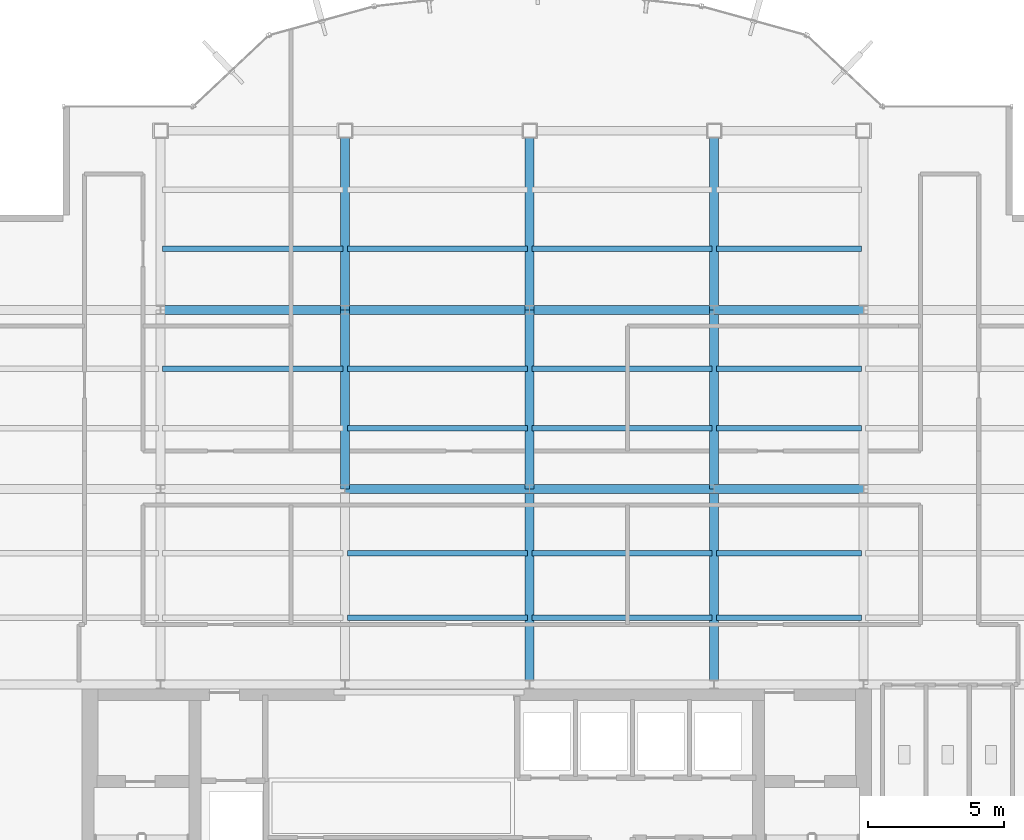
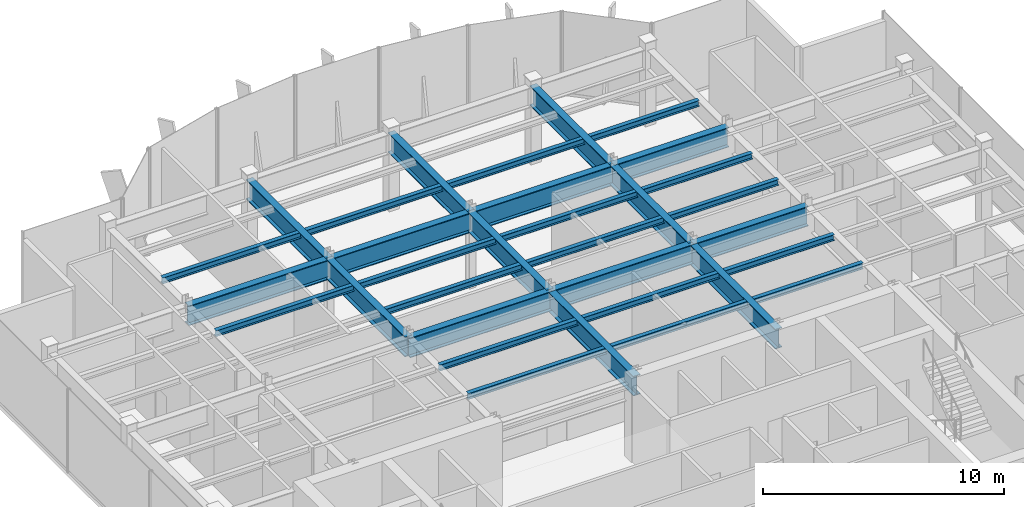
# One storey, part 8 of 24: 32 beams.
"""IFC4 building model written with IfcOpenShell, lengths in metres."""

from ifc_helpers import new_model, si_unit, derived_unit, direction, frame, origin, origin_2d, place, context, subcontext, project, spatial, i_section, extrude, source, transform, mapped, material, material_profile, profile_set, type_object, element, save


model = new_model("IFC4")

# Units and contexts
model_context = context("Model", 3, precision=1e-05, world=origin(), true_north=direction((0.0, 1.0)))
body_context = subcontext(model_context, "Body", "Model", "MODEL_VIEW")
ifc_project = project(units=[si_unit("LENGTHUNIT", "METRE"), si_unit("AREAUNIT", "SQUARE_METRE"), si_unit("VOLUMEUNIT", "CUBIC_METRE"), si_unit("PLANEANGLEUNIT", "RADIAN"), si_unit("MASSUNIT", "GRAM", prefix="KILO"), derived_unit("THERMALTRANSMITTANCEUNIT", [(si_unit("POWERUNIT", "WATT"), 1), (si_unit("LENGTHUNIT", "METRE"), -2), (si_unit("THERMODYNAMICTEMPERATUREUNIT", "KELVIN"), -1)])], contexts=[model_context])

# Site, building, storey
site_placement = place(None, origin())
site = spatial("IfcSite", under=ifc_project, at=site_placement, CompositionType="ELEMENT")
building_placement = place(site_placement, origin())
building = spatial("IfcBuilding", under=site, at=building_placement, Name="Skarnbrae Concourse Arena and Tower", CompositionType="ELEMENT")
storey_placement = place(building_placement, frame((0.0, 0.0, 288.0)))
storey = spatial("IfcBuildingStorey", under=building, at=storey_placement, Name="L75", CompositionType="ELEMENT", Elevation=288.0)

# Beams
ifc_material = material(Name="Steel CSA G40.21 350W", Category="steel")
ifc_material_profile_1 = material_profile(ifc_material, i_section(OverallWidth=0.327880859375, OverallDepth=1.0, WebThickness=0.02099609375, FlangeThickness=0.03759765625, at=origin_2d()), Name="W1000X371")
ifc_profile_set_1 = profile_set([ifc_material_profile_1], Name="Steel CSA G40.21 350W")
beam_type_1 = type_object("IfcBeamType", Name="BM-XFER-W1000X371", PredefinedType="BEAM", material=ifc_profile_set_1)
shared_shape_1 = source(origin(), body_context, "Body", "SweptSolid", [
    extrude(i_section(OverallWidth=0.327880859375, OverallDepth=1.0, WebThickness=0.02099609375, FlangeThickness=0.03759765625, at=origin_2d()), origin(), (0.0, 0.0, 1.0), 6.60009765625),
])
for number, where, z_axis, x_axis, name in (
    (1, (14.39990234375, 21.199951171875, 3.35009765625), (0.0, 1.0, 0.0), (-1.0, 0.0, 0.0), "L75 Primary N-S girder X14.4-2"),
    (2, (21.199951171875, 21.199951171875, 3.35009765625), (0.0, 1.0, 0.0), (-1.0, 0.0, 0.0), "L75 Primary N-S girder X21.2-2"),
    (3, (28.0, 21.199951171875, 3.35009765625), (0.0, 1.0, 0.0), (-1.0, 0.0, 0.0), "L75 Primary N-S girder X28.0-2"),
):
    element("IfcBeam", number, at=place(storey_placement, frame(where, z_axis=z_axis, x_axis=x_axis)), inside=storey, type_object=beam_type_1, Name=name, PredefinedType="BEAM", context=body_context, shape_type="MappedRepresentation", body=[
        mapped(shared_shape_1, transform((0.0, 0.0, 0.0))),
    ])
shared_shape_2 = source(origin(), body_context, "Body", "SweptSolid", [
    extrude(i_section(OverallWidth=0.327880859375, OverallDepth=1.0, WebThickness=0.02099609375, FlangeThickness=0.03759765625, at=origin_2d()), origin(), (0.0, 0.0, 1.0), 6.7998046875),
])
beam_placement = place(storey_placement, frame((7.60009765625, 27.800048828125, 3.35009765625), z_axis=(1.0, 0.0, 0.0), x_axis=(0.0, 1.0, 0.0)))
element("IfcBeam", 4, at=beam_placement, inside=storey, type_object=beam_type_1, Name="L75 Primary E-W girder Y27.8-2", PredefinedType="BEAM", context=body_context, shape_type="MappedRepresentation", body=[
    mapped(shared_shape_2, transform((0.0, 0.0, 0.0))),
])
shared_shape_3 = source(origin(), body_context, "Body", "SweptSolid", [
    extrude(i_section(OverallWidth=0.327880859375, OverallDepth=1.0, WebThickness=0.02099609375, FlangeThickness=0.03759765625, at=origin_2d()), origin(), (0.0, 0.0, 1.0), 6.800048828125),
])
for number, where, z_axis, x_axis, name in (
    (5, (14.39990234375, 21.199951171875, 3.35009765625), (1.0, 0.0, 0.0), (0.0, 1.0, 0.0), "L75 Primary E-W girder Y21.2-3"),
    (6, (21.199951171875, 21.199951171875, 3.35009765625), (1.0, 0.0, 0.0), (0.0, 1.0, 0.0), "L75 Primary E-W girder Y21.2-4"),
    (7, (14.39990234375, 27.800048828125, 3.35009765625), (1.0, 0.0, 0.0), (0.0, 1.0, 0.0), "L75 Primary E-W girder Y27.8-3"),
    (8, (21.199951171875, 27.800048828125, 3.35009765625), (1.0, 0.0, 0.0), (0.0, 1.0, 0.0), "L75 Primary E-W girder Y27.8-4"),
):
    element("IfcBeam", number, at=place(storey_placement, frame(where, z_axis=z_axis, x_axis=x_axis)), inside=storey, type_object=beam_type_1, Name=name, PredefinedType="BEAM", context=body_context, shape_type="MappedRepresentation", body=[
        mapped(shared_shape_3, transform((0.0, 0.0, 0.0))),
    ])
shared_shape_4 = source(origin(), body_context, "Body", "SweptSolid", [
    extrude(i_section(OverallWidth=0.327880859375, OverallDepth=1.0, WebThickness=0.02099609375, FlangeThickness=0.03759765625, at=origin_2d()), origin(), (0.0, 0.0, 1.0), 5.5),
])
for number, where, z_axis, x_axis, name in (
    (9, (28.0, 21.199951171875, 3.35009765625), (1.0, 0.0, 0.0), (0.0, 1.0, 0.0), "L75 Primary E-W girder Y21.2-5"),
    (10, (28.0, 27.800048828125, 3.35009765625), (1.0, 0.0, 0.0), (0.0, 1.0, 0.0), "L75 Primary E-W girder Y27.8-5"),
):
    element("IfcBeam", number, at=place(storey_placement, frame(where, z_axis=z_axis, x_axis=x_axis)), inside=storey, type_object=beam_type_1, Name=name, PredefinedType="BEAM", context=body_context, shape_type="MappedRepresentation", body=[
        mapped(shared_shape_4, transform((0.0, 0.0, 0.0))),
    ])
shared_shape_5 = source(origin(), body_context, "Body", "SweptSolid", [
    extrude(i_section(OverallWidth=0.327880859375, OverallDepth=1.0, WebThickness=0.02099609375, FlangeThickness=0.03759765625, at=origin_2d()), origin(), (0.0, 0.0, 1.0), 7.199951171875),
])
for number, where, z_axis, x_axis, name in (
    (11, (21.199951171875, 14.0, 3.35009765625), (0.0, 1.0, 0.0), (-1.0, 0.0, 0.0), "L75 Primary N-S girder X21.2-1"),
    (12, (28.0, 14.0, 3.35009765625), (0.0, 1.0, 0.0), (-1.0, 0.0, 0.0), "L75 Primary N-S girder X28.0-1"),
):
    element("IfcBeam", number, at=place(storey_placement, frame(where, z_axis=z_axis, x_axis=x_axis)), inside=storey, type_object=beam_type_1, Name=name, PredefinedType="BEAM", context=body_context, shape_type="MappedRepresentation", body=[
        mapped(shared_shape_5, transform((0.0, 0.0, 0.0))),
    ])
shared_shape_6 = source(origin(), body_context, "Body", "SweptSolid", [
    extrude(i_section(OverallWidth=0.327880859375, OverallDepth=1.0, WebThickness=0.02099609375, FlangeThickness=0.03759765625, at=origin_2d()), origin(), (0.0, 0.0, 1.0), 6.599853515625),
])
for number, where, z_axis, x_axis, name in (
    (13, (14.39990234375, 27.800048828125, 3.35009765625), (0.0, 1.0, 0.0), (-1.0, 0.0, 0.0), "L75 Primary N-S girder X14.4-3"),
    (14, (21.199951171875, 27.800048828125, 3.35009765625), (0.0, 1.0, 0.0), (-1.0, 0.0, 0.0), "L75 Primary N-S girder X21.2-3"),
    (15, (28.0, 27.800048828125, 3.35009765625), (0.0, 1.0, 0.0), (-1.0, 0.0, 0.0), "L75 Primary N-S girder X28.0-3"),
):
    element("IfcBeam", number, at=place(storey_placement, frame(where, z_axis=z_axis, x_axis=x_axis)), inside=storey, type_object=beam_type_1, Name=name, PredefinedType="BEAM", context=body_context, shape_type="MappedRepresentation", body=[
        mapped(shared_shape_6, transform((0.0, 0.0, 0.0))),
    ])
ifc_material_profile_2 = material_profile(ifc_material, i_section(OverallWidth=0.202880859375, OverallDepth=0.302978515625, WebThickness=0.007568359375, FlangeThickness=0.01318359375, at=origin_2d()), Name="W310X60")
ifc_profile_set_2 = profile_set([ifc_material_profile_2], Name="Steel CSA G40.21 350W")
beam_type_2 = type_object("IfcBeamType", Name="BM-JOIST-W310X60", PredefinedType="JOIST", material=ifc_profile_set_2)
shared_shape_7 = source(origin(), body_context, "Body", "SweptSolid", [
    extrude(i_section(OverallWidth=0.202880859375, OverallDepth=0.302978515625, WebThickness=0.007568359375, FlangeThickness=0.01318359375, at=origin_2d()), origin(), (0.0, 0.0, 1.0), 6.64013671875),
])
for number, where, z_axis, x_axis, name in (
    (16, (14.47998046875, 16.447998046875, 3.698486328125), (1.0, 0.0, 0.0), (0.0, 1.0, 0.0), "L75 Secondary floor joist 1.1.3"),
    (17, (14.47998046875, 18.823974609375, 3.698486328125), (1.0, 0.0, 0.0), (0.0, 1.0, 0.0), "L75 Secondary floor joist 1.2.3"),
    (18, (14.47998046875, 23.444091796875, 3.698486328125), (1.0, 0.0, 0.0), (0.0, 1.0, 0.0), "L75 Secondary floor joist 2.1.3"),
    (19, (7.679931640625, 25.6220703125, 3.698486328125), (1.0, 0.0, 0.0), (0.0, 1.0, 0.0), "L75 Secondary floor joist 2.2.2"),
    (20, (14.47998046875, 25.6220703125, 3.698486328125), (1.0, 0.0, 0.0), (0.0, 1.0, 0.0), "L75 Secondary floor joist 2.2.3"),
    (21, (7.679931640625, 30.0439453125, 3.698486328125), (1.0, 0.0, 0.0), (0.0, 1.0, 0.0), "L75 Secondary floor joist 3.1.1"),
    (22, (14.47998046875, 30.0439453125, 3.698486328125), (1.0, 0.0, 0.0), (0.0, 1.0, 0.0), "L75 Secondary floor joist 3.1.2"),
):
    element("IfcBeam", number, at=place(storey_placement, frame(where, z_axis=z_axis, x_axis=x_axis)), inside=storey, type_object=beam_type_2, Name=name, PredefinedType="JOIST", context=body_context, shape_type="MappedRepresentation", body=[
        mapped(shared_shape_7, transform((0.0, 0.0, 0.0))),
    ])
shared_shape_8 = source(origin(), body_context, "Body", "SweptSolid", [
    extrude(i_section(OverallWidth=0.202880859375, OverallDepth=0.302978515625, WebThickness=0.007568359375, FlangeThickness=0.01318359375, at=origin_2d()), origin(), (0.0, 0.0, 1.0), 6.639892578125),
])
for number, where, z_axis, x_axis, name in (
    (23, (21.280029296875, 16.447998046875, 3.698486328125), (1.0, 0.0, 0.0), (0.0, 1.0, 0.0), "L75 Secondary floor joist 1.1.4"),
    (24, (21.280029296875, 18.823974609375, 3.698486328125), (1.0, 0.0, 0.0), (0.0, 1.0, 0.0), "L75 Secondary floor joist 1.2.4"),
    (25, (21.280029296875, 23.444091796875, 3.698486328125), (1.0, 0.0, 0.0), (0.0, 1.0, 0.0), "L75 Secondary floor joist 2.1.4"),
    (26, (21.280029296875, 25.6220703125, 3.698486328125), (1.0, 0.0, 0.0), (0.0, 1.0, 0.0), "L75 Secondary floor joist 2.2.4"),
    (27, (21.280029296875, 30.0439453125, 3.698486328125), (1.0, 0.0, 0.0), (0.0, 1.0, 0.0), "L75 Secondary floor joist 3.1.3"),
):
    element("IfcBeam", number, at=place(storey_placement, frame(where, z_axis=z_axis, x_axis=x_axis)), inside=storey, type_object=beam_type_2, Name=name, PredefinedType="JOIST", context=body_context, shape_type="MappedRepresentation", body=[
        mapped(shared_shape_8, transform((0.0, 0.0, 0.0))),
    ])
shared_shape_9 = source(origin(), body_context, "Body", "SweptSolid", [
    extrude(i_section(OverallWidth=0.202880859375, OverallDepth=0.302978515625, WebThickness=0.007568359375, FlangeThickness=0.01318359375, at=origin_2d()), origin(), (0.0, 0.0, 1.0), 5.33984375),
])
for number, where, z_axis, x_axis, name in (
    (28, (28.080078125, 16.447998046875, 3.698486328125), (1.0, 0.0, 0.0), (0.0, 1.0, 0.0), "L75 Secondary floor joist 1.1.5"),
    (29, (28.080078125, 18.823974609375, 3.698486328125), (1.0, 0.0, 0.0), (0.0, 1.0, 0.0), "L75 Secondary floor joist 1.2.5"),
    (30, (28.080078125, 23.444091796875, 3.698486328125), (1.0, 0.0, 0.0), (0.0, 1.0, 0.0), "L75 Secondary floor joist 2.1.5"),
    (31, (28.080078125, 25.6220703125, 3.698486328125), (1.0, 0.0, 0.0), (0.0, 1.0, 0.0), "L75 Secondary floor joist 2.2.5"),
    (32, (28.080078125, 30.0439453125, 3.698486328125), (1.0, 0.0, 0.0), (0.0, 1.0, 0.0), "L75 Secondary floor joist 3.1.4"),
):
    element("IfcBeam", number, at=place(storey_placement, frame(where, z_axis=z_axis, x_axis=x_axis)), inside=storey, type_object=beam_type_2, Name=name, PredefinedType="JOIST", context=body_context, shape_type="MappedRepresentation", body=[
        mapped(shared_shape_9, transform((0.0, 0.0, 0.0))),
    ])

save(model, "model.ifc")
